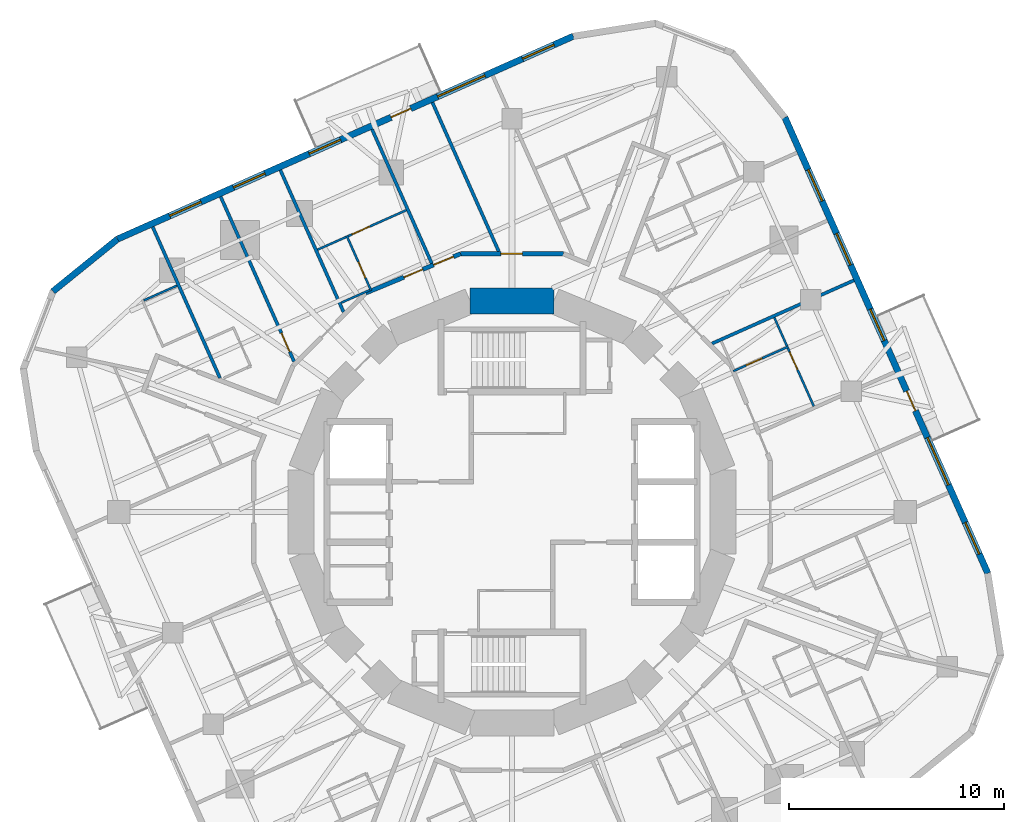
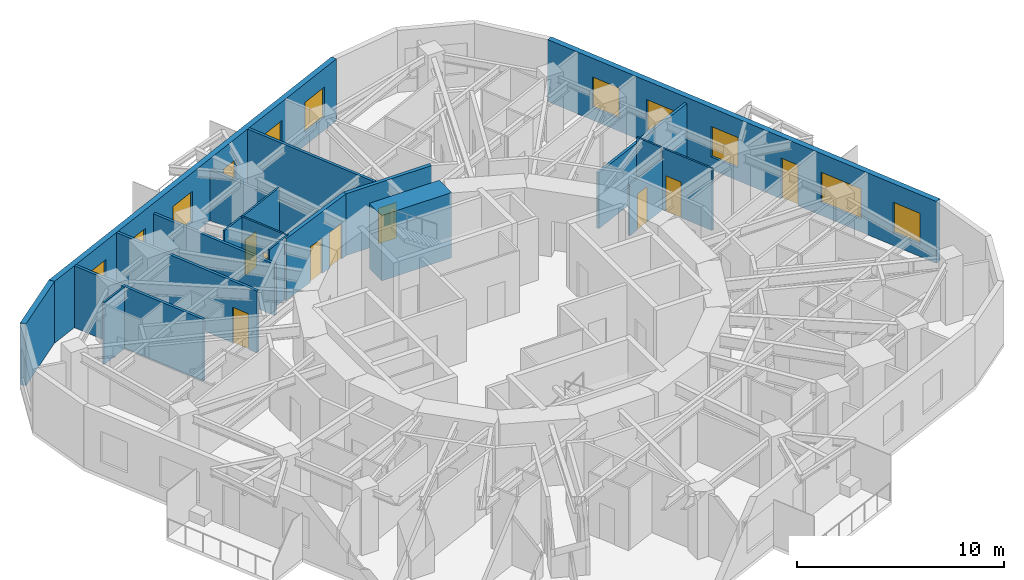
# One storey, part 9 of 12: 20 walls, 10 doors, 10 windows, 20 openings.
"""IFC4 building model written with IfcOpenShell, lengths in metres."""

from ifc_helpers import new_model, si_unit, direction, frame, frame_2d, origin, place, context, subcontext, project, spatial, rectangle, extrude, material, layer, layer_set, type_object, element, fill, save


model = new_model("IFC4")

# Units and contexts
model_context = context("Model", 3, precision=1e-05, world=origin(), true_north=direction((0.0, 1.0)))
body_context = subcontext(model_context, "Body", "Model", "MODEL_VIEW")
ifc_project = project(units=[si_unit("LENGTHUNIT", "METRE"), si_unit("AREAUNIT", "SQUARE_METRE"), si_unit("VOLUMEUNIT", "CUBIC_METRE"), si_unit("PLANEANGLEUNIT", "RADIAN"), si_unit("MASSUNIT", "GRAM", prefix="KILO")], contexts=[model_context])

# Site, building, storey
site_placement = place(None, origin())
site = spatial("IfcSite", under=ifc_project, at=site_placement, CompositionType="ELEMENT")
building_placement = place(site_placement, origin())
building = spatial("IfcBuilding", under=site, at=building_placement, Name="Nakasero Lantern House", CompositionType="ELEMENT")
storey_placement = place(building_placement, frame((0.0, 0.0, 194.0)))
storey = spatial("IfcBuildingStorey", under=building, at=storey_placement, Name="L47", CompositionType="ELEMENT", Elevation=194.0)

# Wall
ifc_material_1 = material(Name="Concrete C50/60", Category="concrete")
ifc_layer_1 = layer(ifc_material_1, 1.199951171875)
ifc_layer_set_1 = layer_set([ifc_layer_1], Name="Core wall 1200")
wall_type_1 = type_object("IfcWallType", Name="Core wall 1200", PredefinedType="SHEAR", material=ifc_layer_set_1)
wall_1_placement = place(storey_placement, frame((1.950927734375, 9.807861328125, 0.0), z_axis=(0.0, 0.0, 1.0), x_axis=(-1.0, 0.0, 0.0)))
element("IfcWall", 1, at=wall_1_placement, inside=storey, type_object=wall_type_1, Name="Core wall L47 facet 4", PredefinedType="SHEAR", context=body_context, shape_type="SweptSolid", body=[
    extrude(rectangle(XDim=3.90185546875, YDim=1.199951171875, at=frame_2d((1.950927734375, 0.0))), origin(), (0.0, 0.0, 1.0), 3.85009765625),
])

# Wall, openings, doors
ifc_material_2 = material(Name="Blockwork", Category="masonry")
ifc_layer_2 = layer(ifc_material_2, 0.199951171875)
ifc_layer_set_2 = layer_set([ifc_layer_2], Name="Corridor wall 200")
wall_type_2 = type_object("IfcWallType", Name="Corridor wall 200", PredefinedType="PARTITIONING", material=ifc_layer_set_2)
wall_2_placement = place(storey_placement, frame((-6.802001953125, 10.1796875, 0.0), z_axis=(0.0, 0.0, 1.0), x_axis=(0.923882292998, 0.382676767893, 0.0)))
wall_2 = element("IfcWall", 2, at=wall_2_placement, inside=storey, type_object=wall_type_2, Name="Corridor wall L47 RC11a", PredefinedType="PARTITIONING", context=body_context, shape_type="SweptSolid", body=[
    extrude(rectangle(XDim=4.777099609375, YDim=0.199951171875, at=frame_2d((2.388671875, 0.0))), origin(), (0.0, 0.0, 1.0), 3.64990234375),
])
opening_1_placement = place(wall_2_placement, frame((1.919921875, 0.0, 0.0)))
opening_1 = element("IfcOpeningElement", 3, at=opening_1_placement, cuts=wall_2, Name="Opening D01", PredefinedType="OPENING", context=body_context, shape_type="SweptSolid", body=[
    extrude(rectangle(XDim=0.949951171875, YDim=2.10009765625, at=frame_2d((0.47509765625, 1.050048828125))), frame((0.0, 0.119873046875, 0.0), z_axis=(0.0, -1.0, 0.0), x_axis=(1.0, 0.0, 0.0)), (0.0, 0.0, 1.0), 0.239990234375),
])
opening_2_placement = place(wall_2_placement, frame((3.419921875, 0.0, 0.0)))
opening_2 = element("IfcOpeningElement", 4, at=opening_2_placement, cuts=wall_2, Name="Opening D03", PredefinedType="OPENING", context=body_context, shape_type="SweptSolid", body=[
    extrude(rectangle(XDim=1.0, YDim=2.10009765625, at=frame_2d((0.5, 1.050048828125))), frame((0.0, 0.119873046875, 0.0), z_axis=(0.0, -1.0, 0.0), x_axis=(1.0, 0.0, 0.0)), (0.0, 0.0, 1.0), 0.239990234375),
])
ifc_material_3 = material(Name="Timber C24", Category="wood")
door_type_1 = type_object("IfcDoorType", Name="Bedroom door FD30S 950", OperationType="SINGLE_SWING_LEFT", PredefinedType="DOOR", material=ifc_material_3)
door_1_placement = place(opening_1_placement, origin())
door_1 = element("IfcDoor", 5, at=door_1_placement, inside=storey, type_object=door_type_1, Name="Door L47 D1-03", OperationType="SINGLE_SWING_RIGHT", OverallHeight=2.10009765625, OverallWidth=0.949951171875, PredefinedType="DOOR", context=body_context, shape_type="SweptSolid", body=[
    extrude(rectangle(XDim=0.949951171875, YDim=2.10009765625, at=frame_2d((0.47509765625, 1.050048828125))), frame((0.0, 0.02490234375, 0.0), z_axis=(0.0, -1.0, 0.0), x_axis=(1.0, 0.0, 0.0)), (0.0, 0.0, 1.0), 0.050048828125),
])
fill(opening_1, door_1)
ifc_material_4 = material(Name="Timber C24", Category="wood")
door_type_2 = type_object("IfcDoorType", Name="Lounge door FD30S 1000", OperationType="SINGLE_SWING_LEFT", PredefinedType="DOOR", material=ifc_material_4)
door_2_placement = place(opening_2_placement, origin())
door_2 = element("IfcDoor", 6, at=door_2_placement, inside=storey, type_object=door_type_2, Name="Door L47 DK1-1", OperationType="SINGLE_SWING_RIGHT", OverallHeight=2.10009765625, OverallWidth=1.0, PredefinedType="DOOR", context=body_context, shape_type="SweptSolid", body=[
    extrude(rectangle(XDim=1.0, YDim=2.10009765625, at=frame_2d((0.5, 1.050048828125))), frame((0.0, 0.02490234375, 0.0), z_axis=(0.0, -1.0, 0.0), x_axis=(1.0, 0.0, 0.0)), (0.0, 0.0, 1.0), 0.050048828125),
])
fill(opening_2, door_2)

# Wall, opening, door
wall_3_placement = place(storey_placement, frame((-2.388427734375, 12.0078125, 0.0), z_axis=(0.0, 0.0, 1.0), x_axis=(1.0, 0.0, 0.0)))
wall_3 = element("IfcWall", 7, at=wall_3_placement, inside=storey, type_object=wall_type_2, Name="Corridor wall L47 RC12a", PredefinedType="PARTITIONING", context=body_context, shape_type="SweptSolid", body=[
    extrude(rectangle(XDim=4.77685546875, YDim=0.199951171875, at=frame_2d((2.388427734375, 0.0))), origin(), (0.0, 0.0, 1.0), 3.64990234375),
])
opening_3_placement = place(wall_3_placement, frame((1.8701171875, 0.0, 0.0)))
opening_3 = element("IfcOpeningElement", 8, at=opening_3_placement, cuts=wall_3, Name="Opening D03", PredefinedType="OPENING", context=body_context, shape_type="SweptSolid", body=[
    extrude(rectangle(XDim=1.0, YDim=2.10009765625, at=frame_2d((0.5, 1.050048828125))), frame((0.0, 0.119873046875, 0.0), z_axis=(0.0, -1.0, 0.0), x_axis=(1.0, 0.0, 0.0)), (0.0, 0.0, 1.0), 0.239990234375),
])
door_3_placement = place(opening_3_placement, origin())
door_3 = element("IfcDoor", 9, at=door_3_placement, inside=storey, type_object=door_type_2, Name="Door L47 DK1", OperationType="SINGLE_SWING_LEFT", OverallHeight=2.10009765625, OverallWidth=1.0, PredefinedType="DOOR", context=body_context, shape_type="SweptSolid", body=[
    extrude(rectangle(XDim=1.0, YDim=2.10009765625, at=frame_2d((0.5, 1.050048828125))), frame((0.0, 0.02490234375, 0.0), z_axis=(0.0, -1.0, 0.0), x_axis=(1.0, 0.0, 0.0)), (0.0, 0.0, 1.0), 0.050048828125),
])
fill(opening_3, door_3)

ifc_material_5 = material(Name="Blockwork", Category="masonry")
ifc_layer_3 = layer(ifc_material_5, 0.10009765625)
ifc_layer_set_3 = layer_set([ifc_layer_3], Name="En-suite wall 100")
wall_type_3 = type_object("IfcWallType", Name="En-suite wall 100", PredefinedType="PARTITIONING", material=ifc_layer_set_3)
wall_4_placement = place(storey_placement, frame((10.29248046875, 6.550048828125, 0.0), z_axis=(0.0, 0.0, 1.0), x_axis=(0.913534471978, 0.406761316386, 0.0)))
wall_4 = element("IfcWall", 10, at=wall_4_placement, inside=storey, type_object=wall_type_3, Name="En-suite wall L47 ES0-03", PredefinedType="PARTITIONING", context=body_context, shape_type="SweptSolid", body=[
    extrude(rectangle(XDim=2.800048828125, YDim=0.10009765625, at=frame_2d((1.39990234375, 0.0))), origin(), (0.0, 0.0, 1.0), 3.037841796875),
])
opening_4_placement = place(wall_4_placement, frame((0.64990234375, 0.0, 0.0)))
opening_4 = element("IfcOpeningElement", 11, at=opening_4_placement, cuts=wall_4, Name="Opening D02", PredefinedType="OPENING", context=body_context, shape_type="SweptSolid", body=[
    extrude(rectangle(XDim=0.800048828125, YDim=2.10009765625, at=frame_2d((0.39990234375, 1.050048828125))), frame((0.0, 0.070068359375, 0.0), z_axis=(0.0, -1.0, 0.0), x_axis=(1.0, 0.0, 0.0)), (0.0, 0.0, 1.0), 0.14013671875),
])
ifc_material_6 = material(Name="Timber C24", Category="wood")
door_type_3 = type_object("IfcDoorType", Name="En-suite door 800", OperationType="SINGLE_SWING_RIGHT", PredefinedType="DOOR", material=ifc_material_6)
door_4_placement = place(opening_4_placement, origin())
door_4 = element("IfcDoor", 12, at=door_4_placement, inside=storey, type_object=door_type_3, Name="Door L47 DE0-03", OperationType="SINGLE_SWING_LEFT", OverallHeight=2.10009765625, OverallWidth=0.800048828125, PredefinedType="DOOR", context=body_context, shape_type="SweptSolid", body=[
    extrude(rectangle(XDim=0.800048828125, YDim=2.10009765625, at=frame_2d((0.39990234375, 1.050048828125))), frame((0.0, 0.02490234375, 0.0), z_axis=(0.0, -1.0, 0.0), x_axis=(1.0, 0.0, 0.0)), (0.0, 0.0, 1.0), 0.050048828125),
])
fill(opening_4, door_4)

# Wall
wall_5_placement = place(storey_placement, frame((12.784423828125, 7.71435546875, 0.0), z_axis=(0.0, 0.0, 1.0), x_axis=(-0.40682579145, 0.913505761017, 0.0)))
element("IfcWall", 13, at=wall_5_placement, inside=storey, type_object=wall_type_3, Name="En-suite wall L47 EE0-03", PredefinedType="PARTITIONING", context=body_context, shape_type="SweptSolid", body=[
    extrude(rectangle(XDim=1.449951171875, YDim=0.10009765625, at=frame_2d((0.72509765625, 0.0))), origin(), (0.0, 0.0, 1.0), 3.64990234375),
])

# Wall, opening, door
wall_6_placement = place(storey_placement, frame((-6.550048828125, 10.29248046875, 0.0), z_axis=(0.0, 0.0, 1.0), x_axis=(-0.406761316386, 0.913534471978, 0.0)))
wall_6 = element("IfcWall", 14, at=wall_6_placement, inside=storey, type_object=wall_type_3, Name="En-suite wall L47 ES1-03", PredefinedType="PARTITIONING", context=body_context, shape_type="SweptSolid", body=[
    extrude(rectangle(XDim=2.800048828125, YDim=0.10009765625, at=frame_2d((1.39990234375, 0.0))), origin(), (0.0, 0.0, 1.0), 3.64990234375),
])
opening_5_placement = place(wall_6_placement, frame((0.64990234375, 0.0, 0.0)))
opening_5 = element("IfcOpeningElement", 15, at=opening_5_placement, cuts=wall_6, Name="Opening D02", PredefinedType="OPENING", context=body_context, shape_type="SweptSolid", body=[
    extrude(rectangle(XDim=0.800048828125, YDim=2.10009765625, at=frame_2d((0.39990234375, 1.050048828125))), frame((0.0, 0.070068359375, 0.0), z_axis=(0.0, -1.0, 0.0), x_axis=(1.0, 0.0, 0.0)), (0.0, 0.0, 1.0), 0.14013671875),
])
door_5_placement = place(opening_5_placement, origin())
door_5 = element("IfcDoor", 16, at=door_5_placement, inside=storey, type_object=door_type_3, Name="Door L47 DE1-03", OperationType="SINGLE_SWING_LEFT", OverallHeight=2.10009765625, OverallWidth=0.800048828125, PredefinedType="DOOR", context=body_context, shape_type="SweptSolid", body=[
    extrude(rectangle(XDim=0.800048828125, YDim=2.10009765625, at=frame_2d((0.39990234375, 1.050048828125))), frame((0.0, 0.02490234375, 0.0), z_axis=(0.0, -1.0, 0.0), x_axis=(1.0, 0.0, 0.0)), (0.0, 0.0, 1.0), 0.050048828125),
])
fill(opening_5, door_5)

# Walls
wall_7_placement = place(storey_placement, frame((-7.71435546875, 12.784423828125, 0.0), z_axis=(0.0, 0.0, 1.0), x_axis=(-0.913505761017, -0.40682579145, 0.0)))
element("IfcWall", 17, at=wall_7_placement, inside=storey, type_object=wall_type_3, Name="En-suite wall L47 EE1-03", PredefinedType="PARTITIONING", context=body_context, shape_type="SweptSolid", body=[
    extrude(rectangle(XDim=1.449951171875, YDim=0.10009765625, at=frame_2d((0.72509765625, 0.0))), origin(), (0.0, 0.0, 1.0), 3.64990234375),
])
wall_8_placement = place(storey_placement, frame((-6.615966796875, 10.31787109375, 0.0), z_axis=(0.0, 0.0, 1.0), x_axis=(-0.913533624044, -0.406763220732, 0.0)))
element("IfcWall", 18, at=wall_8_placement, inside=storey, type_object=wall_type_3, Name="En-suite wall L47 EI1-03", PredefinedType="PARTITIONING", context=body_context, shape_type="SweptSolid", body=[
    extrude(rectangle(XDim=1.4501953125, YDim=0.10009765625, at=frame_2d((0.72509765625, 0.0))), origin(), (0.0, 0.0, 1.0), 3.64990234375),
])
wall_9_placement = place(storey_placement, frame((-15.572265625, 10.526123046875, 0.0), z_axis=(0.0, 0.0, 1.0), x_axis=(-0.913550776237, -0.406724697108, 0.0)))
element("IfcWall", 19, at=wall_9_placement, inside=storey, type_object=wall_type_3, Name="En-suite wall L47 EE1-06", PredefinedType="PARTITIONING", context=body_context, shape_type="SweptSolid", body=[
    extrude(rectangle(XDim=1.699951171875, YDim=0.10009765625, at=frame_2d((0.85009765625, 0.0))), origin(), (0.0, 0.0, 1.0), 3.64990234375),
])

# Wall, opening, door
wall_10_placement = place(storey_placement, frame((14.03125, 4.913818359375, 0.0), z_axis=(0.0, 0.0, 1.0), x_axis=(-0.406787659366, 0.91352274202, 0.0)))
wall_10 = element("IfcWall", 20, at=wall_10_placement, inside=storey, type_object=wall_type_3, Name="En-suite wall L47 EL0-03", PredefinedType="PARTITIONING", context=body_context, shape_type="SweptSolid", body=[
    extrude(rectangle(XDim=2.96533203125, YDim=0.10009765625, at=frame_2d((1.482666015625, 0.0))), origin(), (0.0, 0.0, 1.0), 3.64990234375),
])
opening_6_placement = place(wall_10_placement, frame((1.865478515625, 0.0, 0.0)))
opening_6 = element("IfcOpeningElement", 21, at=opening_6_placement, cuts=wall_10, Name="Opening D17", PredefinedType="OPENING", context=body_context, shape_type="SweptSolid", body=[
    extrude(rectangle(XDim=0.89990234375, YDim=2.10009765625, at=frame_2d((0.449951171875, 1.050048828125))), frame((0.0, 0.070068359375, 0.0), z_axis=(0.0, -1.0, 0.0), x_axis=(1.0, 0.0, 0.0)), (0.0, 0.0, 1.0), 0.14013671875),
])
ifc_material_7 = material(Name="Timber C24", Category="wood")
door_type_4 = type_object("IfcDoorType", Name="Bedroom door FD30S 900", OperationType="SINGLE_SWING_LEFT", PredefinedType="DOOR", material=ifc_material_7)
door_6_placement = place(opening_6_placement, origin())
door_6 = element("IfcDoor", 22, at=door_6_placement, inside=storey, type_object=door_type_4, Name="Door L47 DL0-03", OperationType="SINGLE_SWING_RIGHT", OverallHeight=2.10009765625, OverallWidth=0.89990234375, PredefinedType="DOOR", context=body_context, shape_type="SweptSolid", body=[
    extrude(rectangle(XDim=0.89990234375, YDim=2.10009765625, at=frame_2d((0.449951171875, 1.050048828125))), frame((0.0, 0.02490234375, 0.0), z_axis=(0.0, -1.0, 0.0), x_axis=(1.0, 0.0, 0.0)), (0.0, 0.0, 1.0), 0.050048828125),
])
fill(opening_6, door_6)

wall_11_placement = place(storey_placement, frame((-4.913818359375, 14.03125, 0.0), z_axis=(0.0, 0.0, 1.0), x_axis=(-0.91352274202, -0.406787659366, 0.0)))
wall_11 = element("IfcWall", 23, at=wall_11_placement, inside=storey, type_object=wall_type_3, Name="En-suite wall L47 EL1-03", PredefinedType="PARTITIONING", context=body_context, shape_type="SweptSolid", body=[
    extrude(rectangle(XDim=2.96533203125, YDim=0.10009765625, at=frame_2d((1.482666015625, 0.0))), origin(), (0.0, 0.0, 1.0), 3.64990234375),
])
opening_7_placement = place(wall_11_placement, frame((1.865478515625, 0.0, 0.0)))
opening_7 = element("IfcOpeningElement", 24, at=opening_7_placement, cuts=wall_11, Name="Opening D17", PredefinedType="OPENING", context=body_context, shape_type="SweptSolid", body=[
    extrude(rectangle(XDim=0.89990234375, YDim=2.10009765625, at=frame_2d((0.449951171875, 1.050048828125))), frame((0.0, 0.070068359375, 0.0), z_axis=(0.0, -1.0, 0.0), x_axis=(1.0, 0.0, 0.0)), (0.0, 0.0, 1.0), 0.14013671875),
])
door_7_placement = place(opening_7_placement, origin())
door_7 = element("IfcDoor", 25, at=door_7_placement, inside=storey, type_object=door_type_4, Name="Door L47 DL1-03", OperationType="SINGLE_SWING_RIGHT", OverallHeight=2.10009765625, OverallWidth=0.89990234375, PredefinedType="DOOR", context=body_context, shape_type="SweptSolid", body=[
    extrude(rectangle(XDim=0.89990234375, YDim=2.10009765625, at=frame_2d((0.449951171875, 1.050048828125))), frame((0.0, 0.02490234375, 0.0), z_axis=(0.0, -1.0, 0.0), x_axis=(1.0, 0.0, 0.0)), (0.0, 0.0, 1.0), 0.050048828125),
])
fill(opening_7, door_7)

# Wall, openings, door, windows
ifc_material_8 = material(Name="Aluminium rainscreen on blockwork", Category="masonry")
ifc_layer_4 = layer(ifc_material_8, 0.300048828125)
ifc_layer_set_4 = layer_set([ifc_layer_4], Name="Facade wall 300")
wall_type_4 = type_object("IfcWallType", Name="Facade wall 300", PredefinedType="SOLIDWALL", material=ifc_layer_set_4)
wall_12_placement = place(storey_placement, frame((22.12109375, -2.848876953125, 0.0), z_axis=(0.0, 0.0, 1.0), x_axis=(-0.406734951338, 0.913546210851, 0.0)))
wall_12 = element("IfcWall", 26, at=wall_12_placement, inside=storey, type_object=wall_type_4, Name="Facade wall L47 FW0S", PredefinedType="SOLIDWALL", context=body_context, shape_type="SweptSolid", body=[
    extrude(rectangle(XDim=23.199951171875, YDim=0.300048828125, at=frame_2d((11.60009765625, 0.0))), origin(), (0.0, 0.0, 1.0), 3.64990234375),
])
opening_8_placement = place(wall_12_placement, frame((0.982421875, 0.0, 0.75)))
opening_8 = element("IfcOpeningElement", 27, at=opening_8_placement, cuts=wall_12, Name="Opening W01", PredefinedType="OPENING", context=body_context, shape_type="SweptSolid", body=[
    extrude(rectangle(XDim=1.60009765625, YDim=1.800048828125, at=frame_2d((0.800048828125, 0.89990234375))), frame((0.0, 0.169921875, 0.0), z_axis=(0.0, -1.0, 0.0), x_axis=(1.0, 0.0, 0.0)), (0.0, 0.0, 1.0), 0.340087890625),
])
opening_9_placement = place(wall_12_placement, frame((11.83984375, 0.0, 0.75)))
opening_9 = element("IfcOpeningElement", 28, at=opening_9_placement, cuts=wall_12, Name="Opening W01", PredefinedType="OPENING", context=body_context, shape_type="SweptSolid", body=[
    extrude(rectangle(XDim=1.60009765625, YDim=1.800048828125, at=frame_2d((0.800048828125, 0.89990234375))), frame((0.0, 0.169921875, 0.0), z_axis=(0.0, -1.0, 0.0), x_axis=(1.0, 0.0, 0.0)), (0.0, 0.0, 1.0), 0.340087890625),
])
opening_10_placement = place(wall_12_placement, frame((15.69140625, 0.0, 0.75)))
opening_10 = element("IfcOpeningElement", 29, at=opening_10_placement, cuts=wall_12, Name="Opening W01", PredefinedType="OPENING", context=body_context, shape_type="SweptSolid", body=[
    extrude(rectangle(XDim=1.60009765625, YDim=1.800048828125, at=frame_2d((0.800048828125, 0.89990234375))), frame((0.0, 0.169921875, 0.0), z_axis=(0.0, -1.0, 0.0), x_axis=(1.0, 0.0, 0.0)), (0.0, 0.0, 1.0), 0.340087890625),
])
opening_11_placement = place(wall_12_placement, frame((18.940185546875, 0.0, 0.75)))
opening_11 = element("IfcOpeningElement", 30, at=opening_11_placement, cuts=wall_12, Name="Opening W01", PredefinedType="OPENING", context=body_context, shape_type="SweptSolid", body=[
    extrude(rectangle(XDim=1.60009765625, YDim=1.800048828125, at=frame_2d((0.800048828125, 0.89990234375))), frame((0.0, 0.169921875, 0.0), z_axis=(0.0, -1.0, 0.0), x_axis=(1.0, 0.0, 0.0)), (0.0, 0.0, 1.0), 0.340087890625),
])
opening_12_placement = place(wall_12_placement, frame((4.500244140625, 0.0, 0.75)))
opening_12 = element("IfcOpeningElement", 31, at=opening_12_placement, cuts=wall_12, Name="Opening W03", PredefinedType="OPENING", context=body_context, shape_type="SweptSolid", body=[
    extrude(rectangle(XDim=2.39990234375, YDim=1.800048828125, at=frame_2d((1.199951171875, 0.89990234375))), frame((0.0, 0.169921875, 0.0), z_axis=(0.0, -1.0, 0.0), x_axis=(1.0, 0.0, 0.0)), (0.0, 0.0, 1.0), 0.340087890625),
])
opening_13_placement = place(wall_12_placement, frame((8.271484375, 0.0, 0.0)))
opening_13 = element("IfcOpeningElement", 32, at=opening_13_placement, cuts=wall_12, Name="Opening D04", PredefinedType="OPENING", context=body_context, shape_type="SweptSolid", body=[
    extrude(rectangle(XDim=1.0, YDim=2.39990234375, at=frame_2d((0.5, 1.199951171875))), frame((0.0, 0.169921875, 0.0), z_axis=(0.0, -1.0, 0.0), x_axis=(1.0, 0.0, 0.0)), (0.0, 0.0, 1.0), 0.340087890625),
])
ifc_material_9 = material(Name="Aluminium 6063-T6 and glass", Category="aluminium")
door_type_5 = type_object("IfcDoorType", Name="Balcony door 1000x2400", OperationType="SINGLE_SWING_RIGHT", PredefinedType="DOOR", material=ifc_material_9)
door_8_placement = place(opening_13_placement, origin())
door_8 = element("IfcDoor", 33, at=door_8_placement, inside=storey, type_object=door_type_5, Name="Balcony door L47 DB0", OperationType="SINGLE_SWING_RIGHT", OverallHeight=2.39990234375, OverallWidth=1.0, PredefinedType="DOOR", context=body_context, shape_type="SweptSolid", body=[
    extrude(rectangle(XDim=1.0, YDim=2.39990234375, at=frame_2d((0.5, 1.199951171875))), frame((0.0, 0.02490234375, 0.0), z_axis=(0.0, -1.0, 0.0), x_axis=(1.0, 0.0, 0.0)), (0.0, 0.0, 1.0), 0.050048828125),
])
fill(opening_13, door_8)
ifc_material_10 = material(Name="Aluminium 6063-T6 and glass", Category="aluminium")
window_type_1 = type_object("IfcWindowType", Name="Bedroom window 1600x1800", PartitioningType="SINGLE_PANEL", PredefinedType="WINDOW", material=ifc_material_10)
window_1_placement = place(opening_8_placement, origin())
window_1 = element("IfcWindow", 34, at=window_1_placement, inside=storey, type_object=window_type_1, Name="Window L47 WN0-00", OverallHeight=1.800048828125, OverallWidth=1.60009765625, PartitioningType="SINGLE_PANEL", PredefinedType="WINDOW", context=body_context, shape_type="SweptSolid", body=[
    extrude(rectangle(XDim=1.60009765625, YDim=1.800048828125, at=frame_2d((0.800048828125, 0.89990234375))), frame((0.0, 0.030029296875, 0.0), z_axis=(0.0, -1.0, 0.0), x_axis=(1.0, 0.0, 0.0)), (0.0, 0.0, 1.0), 0.06005859375),
])
fill(opening_8, window_1)
window_2_placement = place(opening_9_placement, origin())
window_2 = element("IfcWindow", 35, at=window_2_placement, inside=storey, type_object=window_type_1, Name="Window L47 WN0-03", OverallHeight=1.800048828125, OverallWidth=1.60009765625, PartitioningType="SINGLE_PANEL", PredefinedType="WINDOW", context=body_context, shape_type="SweptSolid", body=[
    extrude(rectangle(XDim=1.60009765625, YDim=1.800048828125, at=frame_2d((0.800048828125, 0.89990234375))), frame((0.0, 0.030029296875, 0.0), z_axis=(0.0, -1.0, 0.0), x_axis=(1.0, 0.0, 0.0)), (0.0, 0.0, 1.0), 0.06005859375),
])
fill(opening_9, window_2)
window_3_placement = place(opening_10_placement, origin())
window_3 = element("IfcWindow", 36, at=window_3_placement, inside=storey, type_object=window_type_1, Name="Window L47 WN0-04", OverallHeight=1.800048828125, OverallWidth=1.60009765625, PartitioningType="SINGLE_PANEL", PredefinedType="WINDOW", context=body_context, shape_type="SweptSolid", body=[
    extrude(rectangle(XDim=1.60009765625, YDim=1.800048828125, at=frame_2d((0.800048828125, 0.89990234375))), frame((0.0, 0.030029296875, 0.0), z_axis=(0.0, -1.0, 0.0), x_axis=(1.0, 0.0, 0.0)), (0.0, 0.0, 1.0), 0.06005859375),
])
fill(opening_10, window_3)
window_4_placement = place(opening_11_placement, origin())
window_4 = element("IfcWindow", 37, at=window_4_placement, inside=storey, type_object=window_type_1, Name="Window L47 WN0-05", OverallHeight=1.800048828125, OverallWidth=1.60009765625, PartitioningType="SINGLE_PANEL", PredefinedType="WINDOW", context=body_context, shape_type="SweptSolid", body=[
    extrude(rectangle(XDim=1.60009765625, YDim=1.800048828125, at=frame_2d((0.800048828125, 0.89990234375))), frame((0.0, 0.030029296875, 0.0), z_axis=(0.0, -1.0, 0.0), x_axis=(1.0, 0.0, 0.0)), (0.0, 0.0, 1.0), 0.06005859375),
])
fill(opening_11, window_4)
ifc_material_11 = material(Name="Aluminium 6063-T6 and glass", Category="aluminium")
window_type_2 = type_object("IfcWindowType", Name="Lounge window 2400x1800", PartitioningType="SINGLE_PANEL", PredefinedType="WINDOW", material=ifc_material_11)
window_5_placement = place(opening_12_placement, origin())
window_5 = element("IfcWindow", 38, at=window_5_placement, inside=storey, type_object=window_type_2, Name="Window L47 WK0", OverallHeight=1.800048828125, OverallWidth=2.39990234375, PartitioningType="SINGLE_PANEL", PredefinedType="WINDOW", context=body_context, shape_type="SweptSolid", body=[
    extrude(rectangle(XDim=2.39990234375, YDim=1.800048828125, at=frame_2d((1.199951171875, 0.89990234375))), frame((0.0, 0.030029296875, 0.0), z_axis=(0.0, -1.0, 0.0), x_axis=(1.0, 0.0, 0.0)), (0.0, 0.0, 1.0), 0.06005859375),
])
fill(opening_12, window_5)

wall_13_placement = place(storey_placement, frame((2.848876953125, 22.12109375, 0.0), z_axis=(0.0, 0.0, 1.0), x_axis=(-0.913546210851, -0.406734951338, 0.0)))
wall_13 = element("IfcWall", 39, at=wall_13_placement, inside=storey, type_object=wall_type_4, Name="Facade wall L47 FW1S", PredefinedType="SOLIDWALL", context=body_context, shape_type="SweptSolid", body=[
    extrude(rectangle(XDim=23.199951171875, YDim=0.300048828125, at=frame_2d((11.60009765625, 0.0))), origin(), (0.0, 0.0, 1.0), 3.64990234375),
])
opening_14_placement = place(wall_13_placement, frame((0.982421875, 0.0, 0.75)))
opening_14 = element("IfcOpeningElement", 40, at=opening_14_placement, cuts=wall_13, Name="Opening W01", PredefinedType="OPENING", context=body_context, shape_type="SweptSolid", body=[
    extrude(rectangle(XDim=1.60009765625, YDim=1.800048828125, at=frame_2d((0.800048828125, 0.89990234375))), frame((0.0, 0.169921875, 0.0), z_axis=(0.0, -1.0, 0.0), x_axis=(1.0, 0.0, 0.0)), (0.0, 0.0, 1.0), 0.340087890625),
])
opening_15_placement = place(wall_13_placement, frame((11.83984375, 0.0, 0.75)))
opening_15 = element("IfcOpeningElement", 41, at=opening_15_placement, cuts=wall_13, Name="Opening W01", PredefinedType="OPENING", context=body_context, shape_type="SweptSolid", body=[
    extrude(rectangle(XDim=1.60009765625, YDim=1.800048828125, at=frame_2d((0.800048828125, 0.89990234375))), frame((0.0, 0.169921875, 0.0), z_axis=(0.0, -1.0, 0.0), x_axis=(1.0, 0.0, 0.0)), (0.0, 0.0, 1.0), 0.340087890625),
])
opening_16_placement = place(wall_13_placement, frame((15.69140625, 0.0, 0.75)))
opening_16 = element("IfcOpeningElement", 42, at=opening_16_placement, cuts=wall_13, Name="Opening W01", PredefinedType="OPENING", context=body_context, shape_type="SweptSolid", body=[
    extrude(rectangle(XDim=1.60009765625, YDim=1.800048828125, at=frame_2d((0.800048828125, 0.89990234375))), frame((0.0, 0.169921875, 0.0), z_axis=(0.0, -1.0, 0.0), x_axis=(1.0, 0.0, 0.0)), (0.0, 0.0, 1.0), 0.340087890625),
])
opening_17_placement = place(wall_13_placement, frame((18.940185546875, 0.0, 0.75)))
opening_17 = element("IfcOpeningElement", 43, at=opening_17_placement, cuts=wall_13, Name="Opening W01", PredefinedType="OPENING", context=body_context, shape_type="SweptSolid", body=[
    extrude(rectangle(XDim=1.60009765625, YDim=1.800048828125, at=frame_2d((0.800048828125, 0.89990234375))), frame((0.0, 0.169921875, 0.0), z_axis=(0.0, -1.0, 0.0), x_axis=(1.0, 0.0, 0.0)), (0.0, 0.0, 1.0), 0.340087890625),
])
opening_18_placement = place(wall_13_placement, frame((4.500244140625, 0.0, 0.75)))
opening_18 = element("IfcOpeningElement", 44, at=opening_18_placement, cuts=wall_13, Name="Opening W03", PredefinedType="OPENING", context=body_context, shape_type="SweptSolid", body=[
    extrude(rectangle(XDim=2.39990234375, YDim=1.800048828125, at=frame_2d((1.199951171875, 0.89990234375))), frame((0.0, 0.169921875, 0.0), z_axis=(0.0, -1.0, 0.0), x_axis=(1.0, 0.0, 0.0)), (0.0, 0.0, 1.0), 0.340087890625),
])
opening_19_placement = place(wall_13_placement, frame((8.271484375, 0.0, 0.0)))
opening_19 = element("IfcOpeningElement", 45, at=opening_19_placement, cuts=wall_13, Name="Opening D04", PredefinedType="OPENING", context=body_context, shape_type="SweptSolid", body=[
    extrude(rectangle(XDim=1.0, YDim=2.39990234375, at=frame_2d((0.5, 1.199951171875))), frame((0.0, 0.169921875, 0.0), z_axis=(0.0, -1.0, 0.0), x_axis=(1.0, 0.0, 0.0)), (0.0, 0.0, 1.0), 0.340087890625),
])
door_9_placement = place(opening_19_placement, origin())
door_9 = element("IfcDoor", 46, at=door_9_placement, inside=storey, type_object=door_type_5, Name="Balcony door L47 DB1", OperationType="SINGLE_SWING_RIGHT", OverallHeight=2.39990234375, OverallWidth=1.0, PredefinedType="DOOR", context=body_context, shape_type="SweptSolid", body=[
    extrude(rectangle(XDim=1.0, YDim=2.39990234375, at=frame_2d((0.5, 1.199951171875))), frame((0.0, 0.02490234375, 0.0), z_axis=(0.0, -1.0, 0.0), x_axis=(1.0, 0.0, 0.0)), (0.0, 0.0, 1.0), 0.050048828125),
])
fill(opening_19, door_9)
window_6_placement = place(opening_14_placement, origin())
window_6 = element("IfcWindow", 47, at=window_6_placement, inside=storey, type_object=window_type_1, Name="Window L47 WN1-00", OverallHeight=1.800048828125, OverallWidth=1.60009765625, PartitioningType="SINGLE_PANEL", PredefinedType="WINDOW", context=body_context, shape_type="SweptSolid", body=[
    extrude(rectangle(XDim=1.60009765625, YDim=1.800048828125, at=frame_2d((0.800048828125, 0.89990234375))), frame((0.0, 0.030029296875, 0.0), z_axis=(0.0, -1.0, 0.0), x_axis=(1.0, 0.0, 0.0)), (0.0, 0.0, 1.0), 0.06005859375),
])
fill(opening_14, window_6)
window_7_placement = place(opening_15_placement, origin())
window_7 = element("IfcWindow", 48, at=window_7_placement, inside=storey, type_object=window_type_1, Name="Window L47 WN1-03", OverallHeight=1.800048828125, OverallWidth=1.60009765625, PartitioningType="SINGLE_PANEL", PredefinedType="WINDOW", context=body_context, shape_type="SweptSolid", body=[
    extrude(rectangle(XDim=1.60009765625, YDim=1.800048828125, at=frame_2d((0.800048828125, 0.89990234375))), frame((0.0, 0.030029296875, 0.0), z_axis=(0.0, -1.0, 0.0), x_axis=(1.0, 0.0, 0.0)), (0.0, 0.0, 1.0), 0.06005859375),
])
fill(opening_15, window_7)
window_8_placement = place(opening_16_placement, origin())
window_8 = element("IfcWindow", 49, at=window_8_placement, inside=storey, type_object=window_type_1, Name="Window L47 WN1-04", OverallHeight=1.800048828125, OverallWidth=1.60009765625, PartitioningType="SINGLE_PANEL", PredefinedType="WINDOW", context=body_context, shape_type="SweptSolid", body=[
    extrude(rectangle(XDim=1.60009765625, YDim=1.800048828125, at=frame_2d((0.800048828125, 0.89990234375))), frame((0.0, 0.030029296875, 0.0), z_axis=(0.0, -1.0, 0.0), x_axis=(1.0, 0.0, 0.0)), (0.0, 0.0, 1.0), 0.06005859375),
])
fill(opening_16, window_8)
window_9_placement = place(opening_17_placement, origin())
window_9 = element("IfcWindow", 50, at=window_9_placement, inside=storey, type_object=window_type_1, Name="Window L47 WN1-05", OverallHeight=1.800048828125, OverallWidth=1.60009765625, PartitioningType="SINGLE_PANEL", PredefinedType="WINDOW", context=body_context, shape_type="SweptSolid", body=[
    extrude(rectangle(XDim=1.60009765625, YDim=1.800048828125, at=frame_2d((0.800048828125, 0.89990234375))), frame((0.0, 0.030029296875, 0.0), z_axis=(0.0, -1.0, 0.0), x_axis=(1.0, 0.0, 0.0)), (0.0, 0.0, 1.0), 0.06005859375),
])
fill(opening_17, window_9)
window_10_placement = place(opening_18_placement, origin())
window_10 = element("IfcWindow", 51, at=window_10_placement, inside=storey, type_object=window_type_2, Name="Window L47 WK1", OverallHeight=1.800048828125, OverallWidth=2.39990234375, PartitioningType="SINGLE_PANEL", PredefinedType="WINDOW", context=body_context, shape_type="SweptSolid", body=[
    extrude(rectangle(XDim=2.39990234375, YDim=1.800048828125, at=frame_2d((1.199951171875, 0.89990234375))), frame((0.0, 0.030029296875, 0.0), z_axis=(0.0, -1.0, 0.0), x_axis=(1.0, 0.0, 0.0)), (0.0, 0.0, 1.0), 0.06005859375),
])
fill(opening_18, window_10)

# Walls
wall_14_placement = place(storey_placement, frame((-18.345458984375, 12.684814453125, 0.0), z_axis=(0.0, 0.0, 1.0), x_axis=(-0.777174099125, -0.629285642335, 0.0)))
element("IfcWall", 52, at=wall_14_placement, inside=storey, type_object=wall_type_4, Name="Facade wall L47 FW1C1", PredefinedType="SOLIDWALL", context=body_context, shape_type="SweptSolid", body=[
    extrude(rectangle(XDim=3.8564453125, YDim=0.300048828125, at=frame_2d((1.92822265625, 0.0))), origin(), (0.0, 0.0, 1.0), 3.64990234375),
])
ifc_material_12 = material(Name="Blockwork", Category="masonry")
ifc_layer_5 = layer(ifc_material_12, 0.14990234375)
ifc_layer_set_5 = layer_set([ifc_layer_5], Name="Party wall 150")
wall_type_5 = type_object("IfcWallType", Name="Party wall 150", PredefinedType="PARTITIONING", material=ifc_layer_set_5)
wall_15_placement = place(storey_placement, frame((9.293701171875, 7.829345703125, 0.0), z_axis=(0.0, 0.0, 1.0), x_axis=(0.913535447493, 0.406759125496, 0.0)))
element("IfcWall", 53, at=wall_15_placement, inside=storey, type_object=wall_type_5, Name="Party wall L47 PW0-04", PredefinedType="PARTITIONING", context=body_context, shape_type="SweptSolid", body=[
    extrude(rectangle(XDim=7.225341796875, YDim=0.14990234375, at=frame_2d((3.61279296875, 0.0))), origin(), (0.0, 0.0, 1.0), 3.294921875),
])
wall_16_placement = place(storey_placement, frame((-0.61376953125, 12.10791015625, 0.0), z_axis=(0.0, 0.0, 1.0), x_axis=(-0.406720421521, 0.913552679772, 0.0)))
element("IfcWall", 54, at=wall_16_placement, inside=storey, type_object=wall_type_5, Name="Party wall L47 PW1-02", PredefinedType="PARTITIONING", context=body_context, shape_type="SweptSolid", body=[
    extrude(rectangle(XDim=7.589111328125, YDim=0.14990234375, at=frame_2d((3.79443359375, 0.0))), origin(), (0.0, 0.0, 1.0), 3.64990234375),
])
wall_17_placement = place(storey_placement, frame((-3.7314453125, 11.559814453125, 0.0), z_axis=(0.0, 0.0, 1.0), x_axis=(-0.406739408224, 0.913544226514, 0.0)))
element("IfcWall", 55, at=wall_17_placement, inside=storey, type_object=wall_type_5, Name="Party wall L47 PW1-03", PredefinedType="PARTITIONING", context=body_context, shape_type="SweptSolid", body=[
    extrude(rectangle(XDim=6.82177734375, YDim=0.14990234375, at=frame_2d((3.410888671875, 0.0))), origin(), (0.0, 0.0, 1.0), 2.966552734375),
])
wall_18_placement = place(storey_placement, frame((-7.829345703125, 9.293701171875, 0.0), z_axis=(0.0, 0.0, 1.0), x_axis=(-0.406759125496, 0.913535447493, 0.0)))
element("IfcWall", 56, at=wall_18_placement, inside=storey, type_object=wall_type_5, Name="Party wall L47 PW1-04", PredefinedType="PARTITIONING", context=body_context, shape_type="SweptSolid", body=[
    extrude(rectangle(XDim=7.225341796875, YDim=0.14990234375, at=frame_2d((3.61279296875, 0.0))), origin(), (0.0, 0.0, 1.0), 3.037841796875),
])

# Wall, opening, door
wall_19_placement = place(storey_placement, frame((-10.130615234375, 6.99267578125, 0.0), z_axis=(0.0, 0.0, 1.0), x_axis=(-0.406732255089, 0.913547411288, 0.0)))
wall_19 = element("IfcWall", 57, at=wall_19_placement, inside=storey, type_object=wall_type_5, Name="Party wall L47 PW1-05", PredefinedType="PARTITIONING", context=body_context, shape_type="SweptSolid", body=[
    extrude(rectangle(XDim=8.3916015625, YDim=0.14990234375, at=frame_2d((4.19580078125, 0.0))), origin(), (0.0, 0.0, 1.0), 3.64990234375),
])
opening_20_placement = place(wall_19_placement, frame((0.5, 0.0, 0.0)))
opening_20 = element("IfcOpeningElement", 58, at=opening_20_placement, cuts=wall_19, Name="Opening D01", PredefinedType="OPENING", context=body_context, shape_type="SweptSolid", body=[
    extrude(rectangle(XDim=0.949951171875, YDim=2.10009765625, at=frame_2d((0.47509765625, 1.050048828125))), frame((0.0, 0.094970703125, 0.0), z_axis=(0.0, -1.0, 0.0), x_axis=(1.0, 0.0, 0.0)), (0.0, 0.0, 1.0), 0.18994140625),
])
door_10_placement = place(opening_20_placement, origin())
door_10 = element("IfcDoor", 59, at=door_10_placement, inside=storey, type_object=door_type_1, Name="Door L47 DS1-05", OperationType="SINGLE_SWING_LEFT", OverallHeight=2.10009765625, OverallWidth=0.949951171875, PredefinedType="DOOR", context=body_context, shape_type="SweptSolid", body=[
    extrude(rectangle(XDim=0.949951171875, YDim=2.10009765625, at=frame_2d((0.47509765625, 1.050048828125))), frame((0.0, 0.02490234375, 0.0), z_axis=(0.0, -1.0, 0.0), x_axis=(1.0, 0.0, 0.0)), (0.0, 0.0, 1.0), 0.050048828125),
])
fill(opening_20, door_10)

# Wall
wall_20_placement = place(storey_placement, frame((-13.5771484375, 6.2294921875, 0.0), z_axis=(0.0, 0.0, 1.0), x_axis=(-0.406733656408, 0.913546787387, 0.0)))
element("IfcWall", 60, at=wall_20_placement, inside=storey, type_object=wall_type_5, Name="Party wall L47 PW1-06", PredefinedType="PARTITIONING", context=body_context, shape_type="SweptSolid", body=[
    extrude(rectangle(XDim=7.686767578125, YDim=0.14990234375, at=frame_2d((3.84326171875, 0.0))), origin(), (0.0, 0.0, 1.0), 3.64990234375),
])

save(model, "model.ifc")
